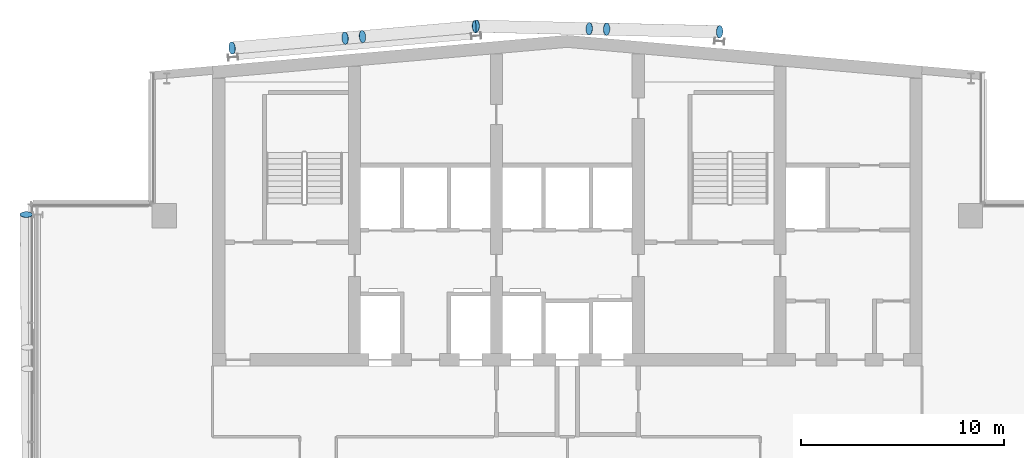
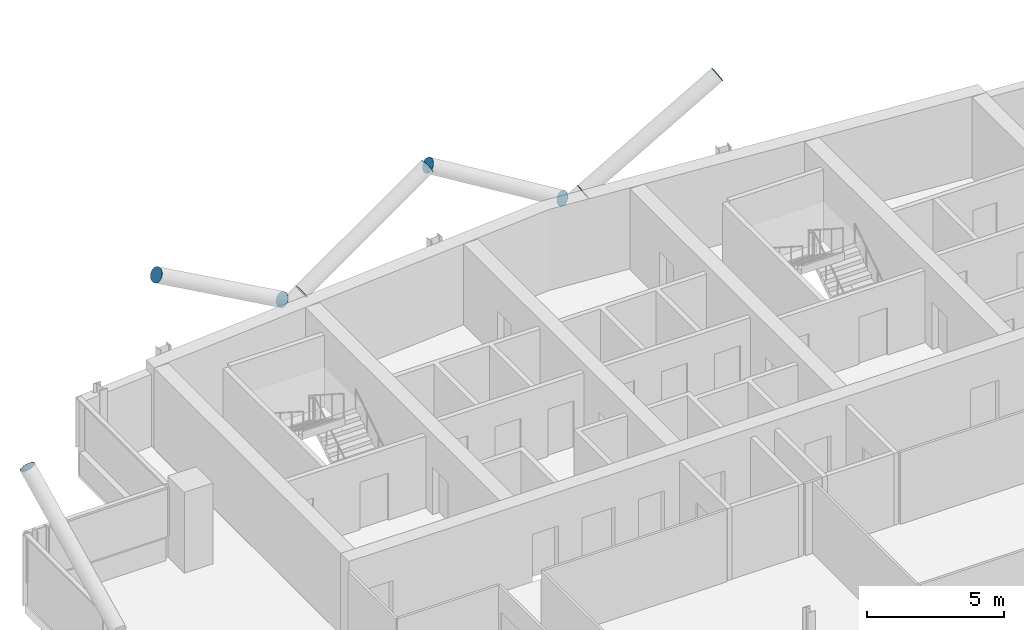
# One storey, part 24 of 28: 9 discrete accessories.
"""IFC4 building model written with IfcOpenShell, lengths in metres."""

from ifc_helpers import new_model, si_unit, direction, frame, origin, origin_2d, place, context, subcontext, project, spatial, circle, extrude, material, material_profile, profile_set, type_object, element, save


model = new_model("IFC4")

# Units and contexts
model_context = context("Model", 3, precision=1e-05, world=origin(), true_north=direction((0.0, 1.0)))
body_context = subcontext(model_context, "Body", "Model", "MODEL_VIEW")
ifc_project = project(units=[si_unit("LENGTHUNIT", "METRE"), si_unit("AREAUNIT", "SQUARE_METRE"), si_unit("VOLUMEUNIT", "CUBIC_METRE"), si_unit("PLANEANGLEUNIT", "RADIAN"), si_unit("MASSUNIT", "GRAM", prefix="KILO")], contexts=[model_context])

# Site, building, storey
site_placement = place(None, origin())
site = spatial("IfcSite", under=ifc_project, at=site_placement, CompositionType="ELEMENT")
building_placement = place(site_placement, origin())
building = spatial("IfcBuilding", under=site, at=building_placement, Name="Wharfspan Tower", CompositionType="ELEMENT")
storey_placement = place(building_placement, frame((0.0, 0.0, 253.899902)))
storey = spatial("IfcBuildingStorey", under=building, at=storey_placement, Name="L64", CompositionType="ELEMENT", Elevation=253.899902)

# Discrete accessories
ifc_material = material(Name="Steel S460NH", Category="steel")
ifc_material_profile = material_profile(ifc_material, circle(Radius=0.304932, at=origin_2d()))
ifc_profile_set = profile_set([ifc_material_profile], Name="Steel S460NH")
discrete_accessory_type = type_object("IfcDiscreteAccessoryType", Name="End plate CHS 610x25", PredefinedType="BRACKET", material=ifc_profile_set)
for number, where, z_axis, x_axis, name in (
    (1, (13.792969, 41.459717, 6.5), (0.0, 0.884385, 0.466759), (-1.0, 0.0, 0.0), "End plate CHS 610x25"),
    (2, (30.38501, 50.247314, 3.154785), (0.855186, 0.073302, 0.513112), (-0.085402, 0.996345, 1e-06), "End plate CHS 610x25"),
    (3, (35.960693, 50.735107, 6.5), (0.855186, 0.073302, 0.513112), (-0.085402, 0.996345, 1e-06), "End plate CHS 610x25"),
    (4, (29.536133, 50.172852, 3.154785), (-0.855186, -0.073302, 0.513112), (0.085402, -0.996345, 1e-06), "End plate CHS 610x25"),
    (5, (23.960693, 49.685059, 6.5), (-0.855186, -0.073302, 0.513112), (0.085402, -0.996345, 1e-06), "End plate CHS 610x25"),
    (6, (42.434326, 50.616943, 3.154541), (0.857236, -0.024492, 0.514341), (0.028558, 0.999591, 2e-06), "End plate CHS 610x25"),
    (7, (48.010254, 50.490234, 6.5), (0.857236, -0.024492, 0.514341), (0.028558, 0.999591, 2e-06), "End plate CHS 610x25"),
    (8, (41.586426, 50.63623, 3.154541), (-0.857236, 0.024492, 0.514341), (-0.028558, -0.999591, 2e-06), "End plate CHS 610x25"),
    (9, (36.010498, 50.762939, 6.5), (-0.857236, 0.024492, 0.514341), (-0.028558, -0.999591, 2e-06), "End plate CHS 610x25"),
):
    element("IfcDiscreteAccessory", number, at=place(storey_placement, frame(where, z_axis=z_axis, x_axis=x_axis)), inside=storey, type_object=discrete_accessory_type, Name=name, PredefinedType="BRACKET", context=body_context, shape_type="SweptSolid", body=[
        extrude(circle(Radius=0.304932, at=origin_2d()), origin(), (0.0, 0.0, 1.0), 0.01001),
    ])

save(model, "model.ifc")
